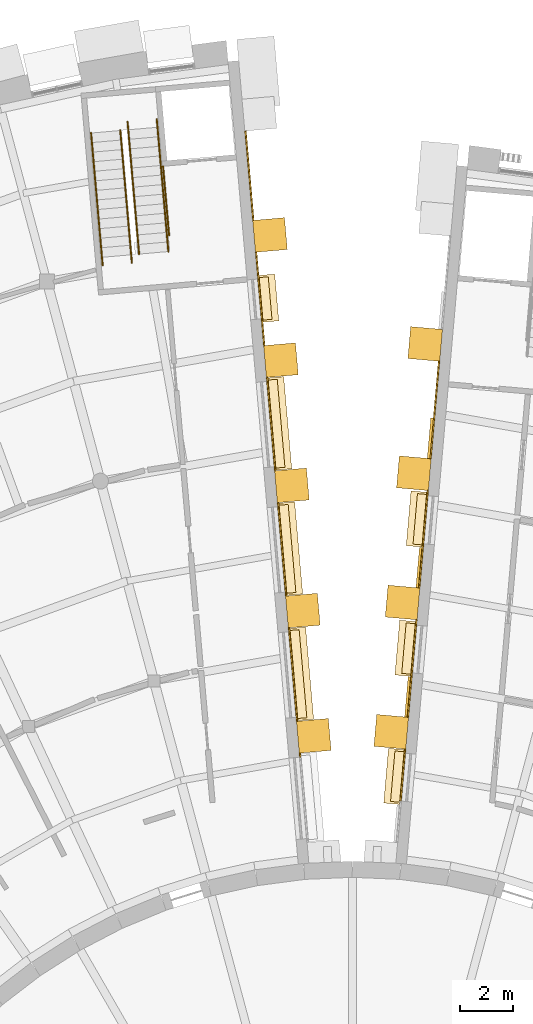
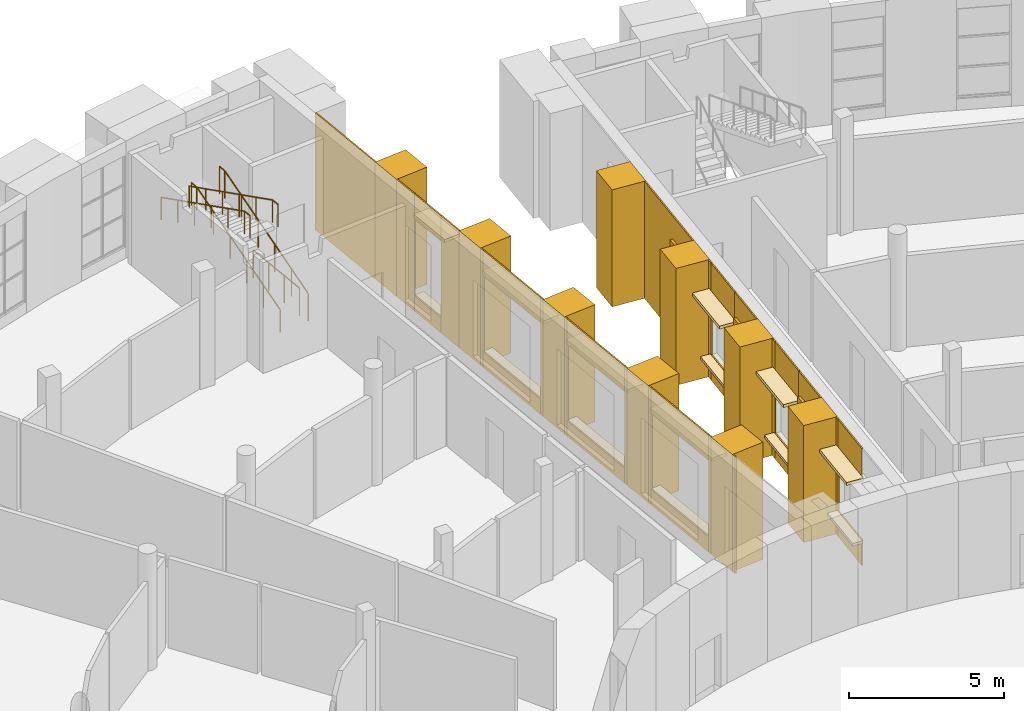
# One storey, part 46 of 50: 56 coverings, 5 railings.
"""IFC4 building model written with IfcOpenShell, lengths in metres."""

from ifc_helpers import new_model, si_unit, direction, frame, origin, origin_2d, place, context, subcontext, project, spatial, polyline, rectangle, circle, outline, extrude, material, layer, layer_set, type_object, element, save


model = new_model("IFC4")

# Units and contexts
model_context = context("Model", 3, precision=1e-05, world=origin(), true_north=direction((0.0, 1.0)))
body_context = subcontext(model_context, "Body", "Model", "MODEL_VIEW")
ifc_project = project(units=[si_unit("LENGTHUNIT", "METRE"), si_unit("AREAUNIT", "SQUARE_METRE"), si_unit("VOLUMEUNIT", "CUBIC_METRE"), si_unit("PLANEANGLEUNIT", "RADIAN"), si_unit("MASSUNIT", "GRAM", prefix="KILO")], contexts=[model_context])

# Site, building, storey
site_placement = place(None, origin())
site = spatial("IfcSite", under=ifc_project, at=site_placement, CompositionType="ELEMENT")
building_placement = place(site_placement, origin())
building = spatial("IfcBuilding", under=site, at=building_placement, Name="Volute Hill Aquarium", CompositionType="ELEMENT")
storey_placement = place(building_placement, frame((0.0, 0.0, 9.199951171875)))
storey = spatial("IfcBuildingStorey", under=building, at=storey_placement, Name="L03", CompositionType="ELEMENT", Elevation=9.199951171875)

# Coverings
ifc_material_1 = material(Name="Aluminium", Category="aluminium")
ifc_layer_1 = layer(ifc_material_1, 0.10009765625)
ifc_layer_set_1 = layer_set([ifc_layer_1], Name="End wall plant louvre panel 100")
covering_type_1 = type_object("IfcCoveringType", Name="End wall plant louvre panel 100", PredefinedType="CLADDING", material=ifc_layer_set_1)
for number, where, z_axis, x_axis, name in (
    (1, (2.07568359375, 27.16650390625, 1.300048828125), (0.0, 0.0, 1.0), (0.087153815516, 0.996194866701, 0.0), "End wall plant louvre EWV S5B L03 2"),
    (2, (2.499755859375, 32.01416015625, 1.300048828125), (0.0, 0.0, 1.0), (0.087153815516, 0.996194866701, 0.0), "End wall plant louvre EWV S5B L03 3"),
    (3, (2.923828125, 36.861572265625, 1.300048828125), (0.0, 0.0, 1.0), (0.087153815516, 0.996194866701, 0.0), "End wall plant louvre EWV S5B L03 4"),
):
    element("IfcCovering", number, at=place(storey_placement, frame(where, z_axis=z_axis, x_axis=x_axis)), inside=storey, type_object=covering_type_1, Name=name, PredefinedType="CLADDING", context=body_context, shape_type="SweptSolid", body=[
        extrude(rectangle(XDim=1.51611328125, YDim=0.10009765625, at=origin_2d()), origin(), (0.0, 0.0, 1.0), 2.39990234375),
    ])
ifc_material_2 = material(Name="Precast concrete C40/50", Category="concrete")
covering_type_2 = type_object("IfcCoveringType", Name="End wall precast fin C40/50 1200x1200", PredefinedType="CLADDING", material=ifc_material_2)
for number, where, z_axis, x_axis, name in (
    (4, (1.459228515625, 25.857177734375, 0.0), (0.0, 0.0, 1.0), (0.087153815516, 0.996194866701, 0.0), "End wall fin EWF S5B L03 2"),
    (5, (1.88330078125, 30.70458984375, 0.0), (0.0, 0.0, 1.0), (0.087153815516, 0.996194866701, 0.0), "End wall fin EWF S5B L03 3"),
    (6, (2.307373046875, 35.55224609375, 0.0), (0.0, 0.0, 1.0), (0.087153815516, 0.996194866701, 0.0), "End wall fin EWF S5B L03 4"),
    (7, (2.7314453125, 40.399658203125, 0.0), (0.0, 0.0, 1.0), (0.087153815516, 0.996194866701, 0.0), "End wall fin EWF S5B L03 5"),
    (8, (-1.44580078125, 25.705078125, 0.0), (0.0, 0.0, 1.0), (-0.08715511842, 0.996194752713, 0.0), "End wall fin EWF S6A L03 2"),
    (9, (-1.856689453125, 30.400634765625, 0.0), (0.0, 0.0, 1.0), (-0.08715511842, 0.996194752713, 0.0), "End wall fin EWF S6A L03 3"),
    (10, (-2.267578125, 35.095947265625, 0.0), (0.0, 0.0, 1.0), (-0.08715511842, 0.996194752713, 0.0), "End wall fin EWF S6A L03 4"),
    (11, (-2.67822265625, 39.791259765625, 0.0), (0.0, 0.0, 1.0), (-0.08715511842, 0.996194752713, 0.0), "End wall fin EWF S6A L03 5"),
    (12, (-3.089111328125, 44.48681640625, 0.0), (0.0, 0.0, 1.0), (-0.08715511842, 0.996194752713, 0.0), "End wall fin EWF S6A L03 6"),
):
    element("IfcCovering", number, at=place(storey_placement, frame(where, z_axis=z_axis, x_axis=x_axis)), inside=storey, type_object=covering_type_2, Name=name, PredefinedType="CLADDING", context=body_context, shape_type="SweptSolid", body=[
        extrude(rectangle(XDim=1.199951171875, YDim=1.199951171875, at=origin_2d()), origin(), (0.0, 0.0, 1.0), 4.60009765625),
    ])
ifc_material_3 = material(Name="Precast concrete C40/50", Category="concrete")
ifc_layer_2 = layer(ifc_material_3, 0.050048828125)
ifc_layer_set_2 = layer_set([ifc_layer_2], Name="End wall precast infill panel C40/50 50")
covering_type_3 = type_object("IfcCoveringType", Name="End wall precast infill panel C40/50 50", PredefinedType="CLADDING", material=ifc_layer_set_2)
covering_1_placement = place(storey_placement, frame((1.834228515625, 23.259765625, 0.0), z_axis=(0.996190036199, -0.087209012019, 0.0), x_axis=(0.087209012019, 0.996190036199, 0.0)))
element("IfcCovering", 13, at=covering_1_placement, inside=storey, type_object=covering_type_3, Name="End wall panel EWP S5B L03 1", PredefinedType="CLADDING", context=body_context, shape_type="SweptSolid", body=[
    extrude(outline(polyline([(0.0, 0.0), (1.8000710963407553, 0.0), (1.8000710963407553, 1.0), (0.0, 1.0), (0.0, 0.0)])), origin(), (0.0, 0.0, -1.0), 0.050048828125),
])
covering_2_placement = place(storey_placement, frame((1.834228515625, 23.259765625, 3.400146484375), z_axis=(0.996190036199, -0.087209012019, 0.0), x_axis=(0.087209012019, 0.996190036199, 0.0)))
element("IfcCovering", 14, at=covering_2_placement, inside=storey, type_object=covering_type_3, Name="End wall panel EWP S5B L03 1", PredefinedType="CLADDING", context=body_context, shape_type="SweptSolid", body=[
    extrude(outline(polyline([(0.0, 0.0), (1.8000710963407553, 0.0), (1.8000710963407553, 1.199951171875), (0.0, 1.199951171875), (0.0, 0.0)])), origin(), (0.0, 0.0, -1.0), 0.050048828125),
])
covering_3_placement = place(storey_placement, frame((1.9912109375, 25.052978515625, 0.0), z_axis=(0.996234670974, -0.086697637506, 0.0), x_axis=(0.086697637506, 0.996234670974, 0.0)))
element("IfcCovering", 15, at=covering_3_placement, inside=storey, type_object=covering_type_3, Name="End wall panel EWP S5B L03 1", PredefinedType="CLADDING", context=body_context, shape_type="SweptSolid", body=[
    extrude(outline(polyline([(0.0, 0.0), (0.15488004934532784, 0.0), (0.15488004934532784, 4.60009765625), (0.0, 4.60009765625), (0.0, 0.0)])), origin(), (0.0, 0.0, -1.0), 0.050048828125),
])
covering_4_placement = place(storey_placement, frame((2.109130859375, 26.402587890625, 0.0), z_axis=(0.996192604141, -0.087179673403, 0.0), x_axis=(0.087179673403, 0.996192604141, 0.0)))
element("IfcCovering", 16, at=covering_4_placement, inside=storey, type_object=covering_type_3, Name="End wall panel EWP S5B L03 2", PredefinedType="CLADDING", context=body_context, shape_type="SweptSolid", body=[
    extrude(outline(polyline([(0.0, 0.0), (1.666256206354944, 0.0), (1.666256206354944, 4.60009765625), (0.0, 4.60009765625), (0.0, 0.0)])), origin(), (0.0, 0.0, -1.0), 0.050048828125),
])
covering_5_placement = place(storey_placement, frame((2.25439453125, 28.0625, 0.0), z_axis=(0.996190036199, -0.087209012019, 0.0), x_axis=(0.087209012019, 0.996190036199, 0.0)))
element("IfcCovering", 17, at=covering_5_placement, inside=storey, type_object=covering_type_3, Name="End wall panel EWP S5B L03 2", PredefinedType="CLADDING", context=body_context, shape_type="SweptSolid", body=[
    extrude(outline(polyline([(0.0, 0.0), (1.8000710963407553, 0.0), (1.8000710963407553, 1.0), (0.0, 1.0), (0.0, 0.0)])), origin(), (0.0, 0.0, -1.0), 0.050048828125),
])
covering_6_placement = place(storey_placement, frame((2.25439453125, 28.0625, 3.400146484375), z_axis=(0.996190036199, -0.087209012019, 0.0), x_axis=(0.087209012019, 0.996190036199, 0.0)))
element("IfcCovering", 18, at=covering_6_placement, inside=storey, type_object=covering_type_3, Name="End wall panel EWP S5B L03 2", PredefinedType="CLADDING", context=body_context, shape_type="SweptSolid", body=[
    extrude(outline(polyline([(0.0, 0.0), (1.8000710963407553, 0.0), (1.8000710963407553, 1.199951171875), (0.0, 1.199951171875), (0.0, 0.0)])), origin(), (0.0, 0.0, -1.0), 0.050048828125),
])
covering_7_placement = place(storey_placement, frame((2.411376953125, 29.855712890625, 0.0), z_axis=(0.996226815431, -0.086787857541, 0.0), x_axis=(0.086787857541, 0.996226815431, 0.0)))
element("IfcCovering", 19, at=covering_7_placement, inside=storey, type_object=covering_type_3, Name="End wall panel EWP S5B L03 2", PredefinedType="CLADDING", context=body_context, shape_type="SweptSolid", body=[
    extrude(outline(polyline([(0.0, 0.0), (0.19972822081580408, 0.0), (0.19972822081580408, 4.60009765625), (0.0, 4.60009765625), (0.0, 0.0)])), origin(), (0.0, 0.0, -1.0), 0.050048828125),
])
covering_8_placement = place(storey_placement, frame((2.533203125, 31.25, 0.0), z_axis=(0.996192604141, -0.087179673403, 0.0), x_axis=(0.087179673403, 0.996192604141, 0.0)))
element("IfcCovering", 20, at=covering_8_placement, inside=storey, type_object=covering_type_3, Name="End wall panel EWP S5B L03 3", PredefinedType="CLADDING", context=body_context, shape_type="SweptSolid", body=[
    extrude(outline(polyline([(0.0, 0.0), (1.666256206354944, 0.0), (1.666256206354944, 4.60009765625), (0.0, 4.60009765625), (0.0, 0.0)])), origin(), (0.0, 0.0, -1.0), 0.050048828125),
])
covering_9_placement = place(storey_placement, frame((2.678466796875, 32.909912109375, 0.0), z_axis=(0.996190036199, -0.087209012019, 0.0), x_axis=(0.087209012019, 0.996190036199, 0.0)))
element("IfcCovering", 21, at=covering_9_placement, inside=storey, type_object=covering_type_3, Name="End wall panel EWP S5B L03 3", PredefinedType="CLADDING", context=body_context, shape_type="SweptSolid", body=[
    extrude(outline(polyline([(0.0, 0.0), (1.8000710963407553, 0.0), (1.8000710963407553, 1.0), (0.0, 1.0), (0.0, 0.0)])), origin(), (0.0, 0.0, -1.0), 0.050048828125),
])
covering_10_placement = place(storey_placement, frame((2.678466796875, 32.909912109375, 3.400146484375), z_axis=(0.996190036199, -0.087209012019, 0.0), x_axis=(0.087209012019, 0.996190036199, 0.0)))
element("IfcCovering", 22, at=covering_10_placement, inside=storey, type_object=covering_type_3, Name="End wall panel EWP S5B L03 3", PredefinedType="CLADDING", context=body_context, shape_type="SweptSolid", body=[
    extrude(outline(polyline([(0.0, 0.0), (1.8000710963407553, 0.0), (1.8000710963407553, 1.199951171875), (0.0, 1.199951171875), (0.0, 0.0)])), origin(), (0.0, 0.0, -1.0), 0.050048828125),
])
covering_11_placement = place(storey_placement, frame((2.83544921875, 34.703125, 0.0), z_axis=(0.996226815431, -0.086787857541, 0.0), x_axis=(0.086787857541, 0.996226815431, 0.0)))
element("IfcCovering", 23, at=covering_11_placement, inside=storey, type_object=covering_type_3, Name="End wall panel EWP S5B L03 3", PredefinedType="CLADDING", context=body_context, shape_type="SweptSolid", body=[
    extrude(outline(polyline([(0.0, 0.0), (0.19972822081580408, 0.0), (0.19972822081580408, 4.60009765625), (0.0, 4.60009765625), (0.0, 0.0)])), origin(), (0.0, 0.0, -1.0), 0.050048828125),
])
covering_12_placement = place(storey_placement, frame((2.957275390625, 36.09765625, 0.0), z_axis=(0.996193211486, -0.087172733059, 0.0), x_axis=(0.087172733059, 0.996193211486, 0.0)))
element("IfcCovering", 24, at=covering_12_placement, inside=storey, type_object=covering_type_3, Name="End wall panel EWP S5B L03 4", PredefinedType="CLADDING", context=body_context, shape_type="SweptSolid", body=[
    extrude(outline(polyline([(0.0, 0.0), (3.666055507371841, 0.0), (3.666055507371841, 4.60009765625), (0.0, 4.60009765625), (0.0, 0.0)])), origin(), (0.0, 0.0, -1.0), 0.050048828125),
])
for number, where, z_axis, x_axis, name in (
    (25, (-1.928466796875, 24.91015625, 0.0), (0.99627106838, 0.086278376837, 0.0), (-0.086278376837, 0.99627106838, 0.0), "End wall panel EWP S6A L03 1"),
    (26, (-2.046142578125, 26.2548828125, 0.0), (0.99627106838, 0.086278376837, 0.0), (-0.086278376837, 0.99627106838, 0.0), "End wall panel EWP S6A L03 2"),
):
    element("IfcCovering", number, at=place(storey_placement, frame(where, z_axis=z_axis, x_axis=x_axis)), inside=storey, type_object=covering_type_3, Name=name, PredefinedType="CLADDING", context=body_context, shape_type="SweptSolid", body=[
        extrude(outline(polyline([(0.0, 0.0), (0.14997330269060552, 0.0), (0.14997330269060552, 4.60009765625), (0.0, 4.60009765625), (0.0, 0.0)])), origin(), (0.0, 0.0, -1.0), 0.050048828125),
    ])
covering_13_placement = place(storey_placement, frame((-2.05908203125, 26.404296875, 0.0), z_axis=(0.996195696453, 0.087144330677, 0.0), x_axis=(-0.087144330677, 0.996195696453, 0.0)))
element("IfcCovering", 27, at=covering_13_placement, inside=storey, type_object=covering_type_3, Name="End wall panel EWP S6A L03 2", PredefinedType="CLADDING", context=body_context, shape_type="SweptSolid", body=[
    extrude(outline(polyline([(0.0, 0.0), (3.213396611126507, 0.0), (3.213396611126507, 0.60009765625), (0.0, 0.60009765625), (0.0, 0.0)])), origin(), (0.0, 0.0, -1.0), 0.050048828125),
])
covering_14_placement = place(storey_placement, frame((-2.05908203125, 26.404296875, 3.60009765625), z_axis=(0.996195696453, 0.087144330677, 0.0), x_axis=(-0.087144330677, 0.996195696453, 0.0)))
element("IfcCovering", 28, at=covering_14_placement, inside=storey, type_object=covering_type_3, Name="End wall panel EWP S6A L03 2", PredefinedType="CLADDING", context=body_context, shape_type="SweptSolid", body=[
    extrude(outline(polyline([(0.0, 0.0), (3.213396611126507, 0.0), (3.213396611126507, 1.0), (0.0, 1.0), (0.0, 0.0)])), origin(), (0.0, 0.0, -1.0), 0.050048828125),
])
for number, where, z_axis, x_axis, name in (
    (29, (-2.339111328125, 29.60546875, 0.0), (0.996129850025, 0.087893810296, 0.0), (-0.087893810296, 0.996129850025, 0.0), "End wall panel EWP S6A L03 2"),
    (30, (-2.456787109375, 30.950439453125, 0.0), (0.996129850025, 0.087893810296, 0.0), (-0.087893810296, 0.996129850025, 0.0), "End wall panel EWP S6A L03 3"),
):
    element("IfcCovering", number, at=place(storey_placement, frame(where, z_axis=z_axis, x_axis=x_axis)), inside=storey, type_object=covering_type_3, Name=name, PredefinedType="CLADDING", context=body_context, shape_type="SweptSolid", body=[
        extrude(outline(polyline([(0.0, 0.0), (0.14999456395789465, 0.0), (0.14999456395789465, 4.60009765625), (0.0, 4.60009765625), (0.0, 0.0)])), origin(), (0.0, 0.0, -1.0), 0.050048828125),
    ])
covering_15_placement = place(storey_placement, frame((-2.469970703125, 31.099853515625, 0.0), z_axis=(0.996195119416, 0.087150926853, 0.0), x_axis=(-0.087150926853, 0.996195119416, 0.0)))
element("IfcCovering", 31, at=covering_15_placement, inside=storey, type_object=covering_type_3, Name="End wall panel EWP S6A L03 3", PredefinedType="CLADDING", context=body_context, shape_type="SweptSolid", body=[
    extrude(outline(polyline([(0.0, 0.0), (3.2131533993569894, 0.0), (3.2131533993569894, 0.60009765625), (0.0, 0.60009765625), (0.0, 0.0)])), origin(), (0.0, 0.0, -1.0), 0.050048828125),
])
covering_16_placement = place(storey_placement, frame((-2.469970703125, 31.099853515625, 3.60009765625), z_axis=(0.996195119416, 0.087150926853, 0.0), x_axis=(-0.087150926853, 0.996195119416, 0.0)))
element("IfcCovering", 32, at=covering_16_placement, inside=storey, type_object=covering_type_3, Name="End wall panel EWP S6A L03 3", PredefinedType="CLADDING", context=body_context, shape_type="SweptSolid", body=[
    extrude(outline(polyline([(0.0, 0.0), (3.2131533993569894, 0.0), (3.2131533993569894, 1.0), (0.0, 1.0), (0.0, 0.0)])), origin(), (0.0, 0.0, -1.0), 0.050048828125),
])
for number, where, z_axis, x_axis, name in (
    (33, (-2.75, 34.30078125, 0.0), (0.996129850025, 0.087893810296, 0.0), (-0.087893810296, 0.996129850025, 0.0), "End wall panel EWP S6A L03 3"),
    (34, (-2.86767578125, 35.645751953125, 0.0), (0.996129850025, 0.087893810296, 0.0), (-0.087893810296, 0.996129850025, 0.0), "End wall panel EWP S6A L03 4"),
):
    element("IfcCovering", number, at=place(storey_placement, frame(where, z_axis=z_axis, x_axis=x_axis)), inside=storey, type_object=covering_type_3, Name=name, PredefinedType="CLADDING", context=body_context, shape_type="SweptSolid", body=[
        extrude(outline(polyline([(0.0, 0.0), (0.14999456395789465, 0.0), (0.14999456395789465, 4.60009765625), (0.0, 4.60009765625), (0.0, 0.0)])), origin(), (0.0, 0.0, -1.0), 0.050048828125),
    ])
covering_17_placement = place(storey_placement, frame((-2.880859375, 35.795166015625, 0.0), z_axis=(0.996195696453, 0.087144330677, 0.0), x_axis=(-0.087144330677, 0.996195696453, 0.0)))
element("IfcCovering", 35, at=covering_17_placement, inside=storey, type_object=covering_type_3, Name="End wall panel EWP S6A L03 4", PredefinedType="CLADDING", context=body_context, shape_type="SweptSolid", body=[
    extrude(outline(polyline([(0.0, 0.0), (3.213396611126507, 0.0), (3.213396611126507, 0.60009765625), (0.0, 0.60009765625), (0.0, 0.0)])), origin(), (0.0, 0.0, -1.0), 0.050048828125),
])
covering_18_placement = place(storey_placement, frame((-2.880859375, 35.795166015625, 3.60009765625), z_axis=(0.996195696453, 0.087144330677, 0.0), x_axis=(-0.087144330677, 0.996195696453, 0.0)))
element("IfcCovering", 36, at=covering_18_placement, inside=storey, type_object=covering_type_3, Name="End wall panel EWP S6A L03 4", PredefinedType="CLADDING", context=body_context, shape_type="SweptSolid", body=[
    extrude(outline(polyline([(0.0, 0.0), (3.213396611126507, 0.0), (3.213396611126507, 1.0), (0.0, 1.0), (0.0, 0.0)])), origin(), (0.0, 0.0, -1.0), 0.050048828125),
])
covering_19_placement = place(storey_placement, frame((-3.160888671875, 38.996337890625, 0.0), z_axis=(0.99627106838, 0.086278376837, 0.0), x_axis=(-0.086278376837, 0.99627106838, 0.0)))
element("IfcCovering", 37, at=covering_19_placement, inside=storey, type_object=covering_type_3, Name="End wall panel EWP S6A L03 4", PredefinedType="CLADDING", context=body_context, shape_type="SweptSolid", body=[
    extrude(outline(polyline([(0.0, 0.0), (0.14997330269060552, 0.0), (0.14997330269060552, 4.60009765625), (0.0, 4.60009765625), (0.0, 0.0)])), origin(), (0.0, 0.0, -1.0), 0.050048828125),
])
covering_20_placement = place(storey_placement, frame((-3.278564453125, 40.341064453125, 0.0), z_axis=(0.996203187623, 0.087058652472, 0.0), x_axis=(-0.087058652472, 0.996203187623, 0.0)))
element("IfcCovering", 38, at=covering_20_placement, inside=storey, type_object=covering_type_3, Name="End wall panel EWP S6A L03 5", PredefinedType="CLADDING", context=body_context, shape_type="SweptSolid", body=[
    extrude(outline(polyline([(0.0, 0.0), (1.0067521364726002, 0.0), (1.0067521364726002, 4.600097656250001), (0.0, 4.600097656250001), (0.0, 0.0)])), origin(), (0.0, 0.0, -1.0), 0.050048828125),
])
covering_21_placement = place(storey_placement, frame((-3.3662109375, 41.343994140625, 0.0), z_axis=(0.996202015853, 0.087072059873, 0.0), x_axis=(-0.087072059873, 0.996202015853, 0.0)))
element("IfcCovering", 39, at=covering_21_placement, inside=storey, type_object=covering_type_3, Name="End wall panel EWP S6A L03 5", PredefinedType="CLADDING", context=body_context, shape_type="SweptSolid", body=[
    extrude(outline(polyline([(0.0, 0.0), (1.5000820534833827, 0.0), (1.5000820534833827, 0.60009765625), (0.0, 0.60009765625), (0.0, 0.0)])), origin(), (0.0, 0.0, -1.0), 0.050048828125),
])
covering_22_placement = place(storey_placement, frame((-3.3662109375, 41.343994140625, 3.60009765625), z_axis=(0.996202015853, 0.087072059873, 0.0), x_axis=(-0.087072059873, 0.996202015853, 0.0)))
element("IfcCovering", 40, at=covering_22_placement, inside=storey, type_object=covering_type_3, Name="End wall panel EWP S6A L03 5", PredefinedType="CLADDING", context=body_context, shape_type="SweptSolid", body=[
    extrude(outline(polyline([(0.0, 0.0), (1.5000820534833827, 0.0), (1.5000820534833827, 1.0), (0.0, 1.0), (0.0, 0.0)])), origin(), (0.0, 0.0, -1.0), 0.050048828125),
])
covering_23_placement = place(storey_placement, frame((-3.496826171875, 42.83837890625, 0.0), z_axis=(0.996180278365, 0.087320404239, 0.0), x_axis=(-0.087320404239, 0.996180278365, 0.0)))
element("IfcCovering", 41, at=covering_23_placement, inside=storey, type_object=covering_type_3, Name="End wall panel EWP S6A L03 5", PredefinedType="CLADDING", context=body_context, shape_type="SweptSolid", body=[
    extrude(outline(polyline([(0.0, 0.0), (1.0065302121024031, 0.0), (1.0065302121024031, 4.600097656250001), (0.0, 4.600097656250001), (0.0, 0.0)])), origin(), (0.0, 0.0, -1.0), 0.050048828125),
])
covering_24_placement = place(storey_placement, frame((-3.689208984375, 45.03662109375, 0.0), z_axis=(0.99619222024, 0.087184060082, 0.0), x_axis=(-0.087184060082, 0.99619222024, 0.0)))
element("IfcCovering", 42, at=covering_24_placement, inside=storey, type_object=covering_type_3, Name="End wall panel EWP S6A L03 6", PredefinedType="CLADDING", context=body_context, shape_type="SweptSolid", body=[
    extrude(outline(polyline([(0.0, 0.0), (3.3631479234663875, 0.0), (3.3631479234663875, 4.600097656250001), (0.0, 4.600097656250001), (0.0, 0.0)])), origin(), (0.0, 0.0, -1.0), 0.050048828125),
])
ifc_material_4 = material(Name="Precast concrete C40/50", Category="concrete")
ifc_layer_3 = layer(ifc_material_4, 0.1201171875)
ifc_layer_set_3 = layer_set([ifc_layer_3], Name="End wall window head blade precast C40/50 600x120")
covering_type_4 = type_object("IfcCoveringType", Name="End wall window head blade precast C40/50 600x120", PredefinedType="CLADDING", material=ifc_layer_set_3)
for number, where, z_axis, x_axis, name in (
    (43, (1.56396484375, 24.18701171875, 3.39990234375), (0.0, 0.0, 1.0), (0.087153815516, 0.996194866701, 0.0), "End wall window head blade EWB S5B L03 1.1"),
    (44, (1.984130859375, 28.989501953125, 3.39990234375), (0.0, 0.0, 1.0), (0.087153815516, 0.996194866701, 0.0), "End wall window head blade EWB S5B L03 2.1"),
    (45, (2.408203125, 33.837158203125, 3.39990234375), (0.0, 0.0, 1.0), (0.087153815516, 0.996194866701, 0.0), "End wall window head blade EWB S5B L03 3.1"),
):
    element("IfcCovering", number, at=place(storey_placement, frame(where, z_axis=z_axis, x_axis=x_axis)), inside=storey, type_object=covering_type_4, Name=name, PredefinedType="CLADDING", context=body_context, shape_type="SweptSolid", body=[
        extrude(rectangle(XDim=2.06005859375, YDim=0.60009765625, at=origin_2d()), origin(), (0.0, 0.0, 1.0), 0.1201171875),
    ])
for number, where, z_axis, x_axis, name in (
    (46, (-1.900390625, 28.031005859375, 3.60009765625), (0.0, 0.0, 1.0), (-0.08715511842, 0.996194752713, 0.0), "End wall window head blade EWB S6A L03 2.1"),
    (47, (-2.31103515625, 32.726318359375, 3.60009765625), (0.0, 0.0, 1.0), (-0.08715511842, 0.996194752713, 0.0), "End wall window head blade EWB S6A L03 3.1"),
    (48, (-2.721923828125, 37.421875, 3.60009765625), (0.0, 0.0, 1.0), (-0.08715511842, 0.996194752713, 0.0), "End wall window head blade EWB S6A L03 4.1"),
):
    element("IfcCovering", number, at=place(storey_placement, frame(where, z_axis=z_axis, x_axis=x_axis)), inside=storey, type_object=covering_type_4, Name=name, PredefinedType="CLADDING", context=body_context, shape_type="SweptSolid", body=[
        extrude(rectangle(XDim=3.473388671875, YDim=0.60009765625, at=origin_2d()), origin(), (0.0, 0.0, 1.0), 0.1201171875),
    ])
covering_25_placement = place(storey_placement, frame((-3.1328125, 42.1171875, 3.60009765625), z_axis=(0.0, 0.0, 1.0), x_axis=(-0.08715511842, 0.996194752713, 0.0)))
element("IfcCovering", 49, at=covering_25_placement, inside=storey, type_object=covering_type_4, Name="End wall window head blade EWB S6A L03 5.1", PredefinedType="CLADDING", context=body_context, shape_type="SweptSolid", body=[
    extrude(rectangle(XDim=1.760009765625, YDim=0.60009765625, at=origin_2d()), origin(), (0.0, 0.0, 1.0), 0.1201171875),
])
ifc_material_5 = material(Name="Precast concrete C40/50", Category="concrete")
ifc_layer_4 = layer(ifc_material_5, 0.10009765625)
ifc_layer_set_4 = layer_set([ifc_layer_4], Name="End wall window sill precast C40/50 350x100")
covering_type_5 = type_object("IfcCoveringType", Name="End wall window sill precast C40/50 350x100", PredefinedType="CLADDING", material=ifc_layer_set_4)
for number, where, z_axis, x_axis, name in (
    (50, (1.6884765625, 24.176025390625, 0.89990234375), (0.0, 0.0, 1.0), (0.087153815516, 0.996194866701, 0.0), "End wall window sill EWS S5B L03 1.1"),
    (51, (2.108642578125, 28.978759765625, 0.89990234375), (0.0, 0.0, 1.0), (0.087153815516, 0.996194866701, 0.0), "End wall window sill EWS S5B L03 2.1"),
    (52, (2.53271484375, 33.826171875, 0.89990234375), (0.0, 0.0, 1.0), (0.087153815516, 0.996194866701, 0.0), "End wall window sill EWS S5B L03 3.1"),
):
    element("IfcCovering", number, at=place(storey_placement, frame(where, z_axis=z_axis, x_axis=x_axis)), inside=storey, type_object=covering_type_5, Name=name, PredefinedType="CLADDING", context=body_context, shape_type="SweptSolid", body=[
        extrude(rectangle(XDim=1.89990234375, YDim=0.35009765625, at=origin_2d()), origin(), (0.0, 0.0, 1.0), 0.10009765625),
    ])
for number, where, z_axis, x_axis, name in (
    (53, (-2.02490234375, 28.020263671875, 0.5), (0.0, 0.0, 1.0), (-0.08715511842, 0.996194752713, 0.0), "End wall window sill EWS S6A L03 2.1"),
    (54, (-2.435546875, 32.715576171875, 0.5), (0.0, 0.0, 1.0), (-0.08715511842, 0.996194752713, 0.0), "End wall window sill EWS S6A L03 3.1"),
    (55, (-2.846435546875, 37.410888671875, 0.5), (0.0, 0.0, 1.0), (-0.08715511842, 0.996194752713, 0.0), "End wall window sill EWS S6A L03 4.1"),
):
    element("IfcCovering", number, at=place(storey_placement, frame(where, z_axis=z_axis, x_axis=x_axis)), inside=storey, type_object=covering_type_5, Name=name, PredefinedType="CLADDING", context=body_context, shape_type="SweptSolid", body=[
        extrude(rectangle(XDim=3.313232421875, YDim=0.35009765625, at=origin_2d()), origin(), (0.0, 0.0, 1.0), 0.10009765625),
    ])
covering_26_placement = place(storey_placement, frame((-3.25732421875, 42.1064453125, 0.5), z_axis=(0.0, 0.0, 1.0), x_axis=(-0.08715511842, 0.996194752713, 0.0)))
element("IfcCovering", 56, at=covering_26_placement, inside=storey, type_object=covering_type_5, Name="End wall window sill EWS S6A L03 5.1", PredefinedType="CLADDING", context=body_context, shape_type="SweptSolid", body=[
    extrude(rectangle(XDim=1.60009765625, YDim=0.35009765625, at=origin_2d()), origin(), (0.0, 0.0, 1.0), 0.10009765625),
])

# Railings
ifc_material_6 = material(Name="Stainless steel 1.4301", Category="steel")
railing_type_1 = type_object("IfcRailingType", Name="Guard 1100 stainless", PredefinedType="GUARDRAIL", material=ifc_material_6)
railing_1_placement = place(storey_placement, frame((-7.0986328125, 47.060302734375, 0.0)))
element("IfcRailing", 57, at=railing_1_placement, inside=storey, type_object=railing_type_1, Name="gd/S6-A/L03/edge", PredefinedType="GUARDRAIL", context=body_context, shape_type="SweptSolid", body=[
    extrude(circle(Radius=0.02392578125, at=origin_2d()), frame((0.0, 0.0, 1.076171875), z_axis=(0.087140158824, -0.996196061386, 0.0), x_axis=(0.996196061386, 0.087140158824, 0.0)), (0.0, 0.0, 1.0), 2.60009765625),
    extrude(circle(Radius=0.02099609375, at=origin_2d()), origin(), (0.0, 0.0, 1.0), 1.052001953125),
    extrude(circle(Radius=0.02099609375, at=origin_2d()), frame((0.075439453125, -0.86328125, 0.0)), (0.0, 0.0, 1.0), 1.052001953125),
    extrude(circle(Radius=0.02099609375, at=origin_2d()), frame((0.151123046875, -1.726806640625, 0.0)), (0.0, 0.0, 1.0), 1.052001953125),
    extrude(circle(Radius=0.02099609375, at=origin_2d()), frame((0.2265625, -2.590087890625, 0.0)), (0.0, 0.0, 1.0), 1.052001953125),
])
railing_2_placement = place(storey_placement, frame((-6.8994140625, 43.865478515625, 0.164306640625)))
element("IfcRailing", 58, at=railing_2_placement, inside=storey, type_object=railing_type_1, Name="gd/S6-A/L03/1", PredefinedType="GUARDRAIL", context=body_context, shape_type="SweptSolid", body=[
    extrude(circle(Radius=0.02392578125, at=origin_2d()), frame((0.0, 0.0, 1.076171875), z_axis=(-0.079300797264, 0.906288046285, 0.415154622658), x_axis=(-0.996193660874, -0.087167597388, 0.0)), (0.0, 0.0, 1.0), 5.14453125),
    extrude(circle(Radius=0.02392578125, at=origin_2d()), frame((-0.407958984375, 4.662353515625, 3.2119140625), z_axis=(-0.087086179441, 0.996200781645, 0.0), x_axis=(-0.996200781645, -0.087086179441, 0.0)), (0.0, 0.0, 1.0), 0.300048828125),
    extrude(circle(Radius=0.02099609375, at=origin_2d()), origin(), (0.0, 0.0, 1.0), 1.052001953125),
    extrude(circle(Radius=0.02099609375, at=origin_2d()), frame((-0.08154296875, 0.932373046875, 0.42724609375)), (0.0, 0.0, 1.0), 1.052001953125),
    extrude(circle(Radius=0.02099609375, at=origin_2d()), frame((-0.1630859375, 1.864990234375, 0.854248046875)), (0.0, 0.0, 1.0), 1.052001953125),
    extrude(circle(Radius=0.02099609375, at=origin_2d()), frame((-0.244873046875, 2.79736328125, 1.281494140625)), (0.0, 0.0, 1.0), 1.052001953125),
    extrude(circle(Radius=0.02099609375, at=origin_2d()), frame((-0.326416015625, 3.72998046875, 1.70849609375)), (0.0, 0.0, 1.0), 1.052001953125),
    extrude(circle(Radius=0.02099609375, at=origin_2d()), frame((-0.407958984375, 4.662353515625, 2.1357421875)), (0.0, 0.0, 1.0), 1.052001953125),
    extrude(circle(Radius=0.02099609375, at=origin_2d()), frame((-0.43408203125, 4.961181640625, 2.1357421875)), (0.0, 0.0, 1.0), 1.052001953125),
])
ifc_material_7 = material(Name="Stainless steel 1.4301", Category="steel")
railing_type_2 = type_object("IfcRailingType", Name="Handrail 48 stainless", PredefinedType="HANDRAIL", material=ifc_material_7)
railing_3_placement = place(storey_placement, frame((-7.9951171875, 43.769775390625, 0.164306640625)))
element("IfcRailing", 59, at=railing_3_placement, inside=storey, type_object=railing_type_2, Name="hr/S6-A/L03/2", PredefinedType="HANDRAIL", context=body_context, shape_type="SweptSolid", body=[
    extrude(circle(Radius=0.02392578125, at=origin_2d()), frame((0.0, 0.0, 0.8759765625), z_axis=(-0.079304208105, 0.90627956791, 0.415172479057), x_axis=(-0.996193264484, -0.087172127406, 0.0)), (0.0, 0.0, 1.0), 5.144287109375),
    extrude(circle(Radius=0.02392578125, at=origin_2d()), frame((-0.407958984375, 4.662109375, 3.01171875), z_axis=(-0.087086179441, 0.996200781645, 0.0), x_axis=(-0.996200781645, -0.087086179441, 0.0)), (0.0, 0.0, 1.0), 0.300048828125),
    extrude(circle(Radius=0.02099609375, at=origin_2d()), origin(), (0.0, 0.0, 1.0), 0.851806640625),
    extrude(circle(Radius=0.02099609375, at=origin_2d()), frame((-0.08154296875, 0.932373046875, 0.42724609375)), (0.0, 0.0, 1.0), 0.851806640625),
    extrude(circle(Radius=0.02099609375, at=origin_2d()), frame((-0.1630859375, 1.86474609375, 0.854248046875)), (0.0, 0.0, 1.0), 0.851806640625),
    extrude(circle(Radius=0.02099609375, at=origin_2d()), frame((-0.244873046875, 2.79736328125, 1.281494140625)), (0.0, 0.0, 1.0), 0.851806640625),
    extrude(circle(Radius=0.02099609375, at=origin_2d()), frame((-0.326416015625, 3.729736328125, 1.70849609375)), (0.0, 0.0, 1.0), 0.851806640625),
    extrude(circle(Radius=0.02099609375, at=origin_2d()), frame((-0.407958984375, 4.662109375, 2.1357421875)), (0.0, 0.0, 1.0), 0.851806640625),
    extrude(circle(Radius=0.02099609375, at=origin_2d()), frame((-0.43408203125, 4.9609375, 2.1357421875)), (0.0, 0.0, 1.0), 0.851806640625),
])
railing_4_placement = place(storey_placement, frame((-8.701904296875, 48.40576171875, 2.46435546875)))
element("IfcRailing", 60, at=railing_4_placement, inside=storey, type_object=railing_type_2, Name="hr/S6-A/L03/3", PredefinedType="HANDRAIL", context=body_context, shape_type="SweptSolid", body=[
    extrude(circle(Radius=0.02392578125, at=origin_2d()), frame((0.0, 0.0, 0.8759765625), z_axis=(0.079257047186, -0.906282977881, 0.415174041187), x_axis=(0.996197793412, 0.087120355834, 0.0)), (0.0, 0.0, 1.0), 5.144287109375),
    extrude(circle(Radius=0.02392578125, at=origin_2d()), frame((0.40771484375, -4.662109375, 3.01171875), z_axis=(0.087822613866, -0.996136129499, 0.0), x_axis=(0.996136129499, 0.087822613866, 0.0)), (0.0, 0.0, 1.0), 0.30029296875),
    extrude(circle(Radius=0.02099609375, at=origin_2d()), origin(), (0.0, 0.0, 1.0), 0.851806640625),
    extrude(circle(Radius=0.02099609375, at=origin_2d()), frame((0.08154296875, -0.932373046875, 0.42724609375)), (0.0, 0.0, 1.0), 0.851806640625),
    extrude(circle(Radius=0.02099609375, at=origin_2d()), frame((0.1630859375, -1.86474609375, 0.854248046875)), (0.0, 0.0, 1.0), 0.851806640625),
    extrude(circle(Radius=0.02099609375, at=origin_2d()), frame((0.24462890625, -2.79736328125, 1.281494140625)), (0.0, 0.0, 1.0), 0.851806640625),
    extrude(circle(Radius=0.02099609375, at=origin_2d()), frame((0.326171875, -3.729736328125, 1.70849609375)), (0.0, 0.0, 1.0), 0.851806640625),
    extrude(circle(Radius=0.02099609375, at=origin_2d()), frame((0.40771484375, -4.662109375, 2.1357421875)), (0.0, 0.0, 1.0), 0.851806640625),
    extrude(circle(Radius=0.02099609375, at=origin_2d()), frame((0.43408203125, -4.961181640625, 2.1357421875)), (0.0, 0.0, 1.0), 0.851806640625),
])
railing_5_placement = place(storey_placement, frame((-9.7978515625, 48.309814453125, 2.46435546875)))
element("IfcRailing", 61, at=railing_5_placement, inside=storey, type_object=railing_type_2, Name="hr/S6-A/L03/4", PredefinedType="HANDRAIL", context=body_context, shape_type="SweptSolid", body=[
    extrude(circle(Radius=0.02392578125, at=origin_2d()), frame((0.0, 0.0, 0.8759765625), z_axis=(0.079304208105, -0.90627956791, 0.415172479057), x_axis=(0.996193264484, 0.087172127406, 0.0)), (0.0, 0.0, 1.0), 5.144287109375),
    extrude(circle(Radius=0.02392578125, at=origin_2d()), frame((0.407958984375, -4.662109375, 3.01171875), z_axis=(0.087086179441, -0.996200781645, 0.0), x_axis=(0.996200781645, 0.087086179441, 0.0)), (0.0, 0.0, 1.0), 0.300048828125),
    extrude(circle(Radius=0.02099609375, at=origin_2d()), origin(), (0.0, 0.0, 1.0), 0.851806640625),
    extrude(circle(Radius=0.02099609375, at=origin_2d()), frame((0.08154296875, -0.932373046875, 0.42724609375)), (0.0, 0.0, 1.0), 0.851806640625),
    extrude(circle(Radius=0.02099609375, at=origin_2d()), frame((0.1630859375, -1.86474609375, 0.854248046875)), (0.0, 0.0, 1.0), 0.851806640625),
    extrude(circle(Radius=0.02099609375, at=origin_2d()), frame((0.244873046875, -2.79736328125, 1.281494140625)), (0.0, 0.0, 1.0), 0.851806640625),
    extrude(circle(Radius=0.02099609375, at=origin_2d()), frame((0.326416015625, -3.729736328125, 1.70849609375)), (0.0, 0.0, 1.0), 0.851806640625),
    extrude(circle(Radius=0.02099609375, at=origin_2d()), frame((0.407958984375, -4.662109375, 2.1357421875)), (0.0, 0.0, 1.0), 0.851806640625),
    extrude(circle(Radius=0.02099609375, at=origin_2d()), frame((0.43408203125, -4.9609375, 2.1357421875)), (0.0, 0.0, 1.0), 0.851806640625),
])

save(model, "model.ifc")
